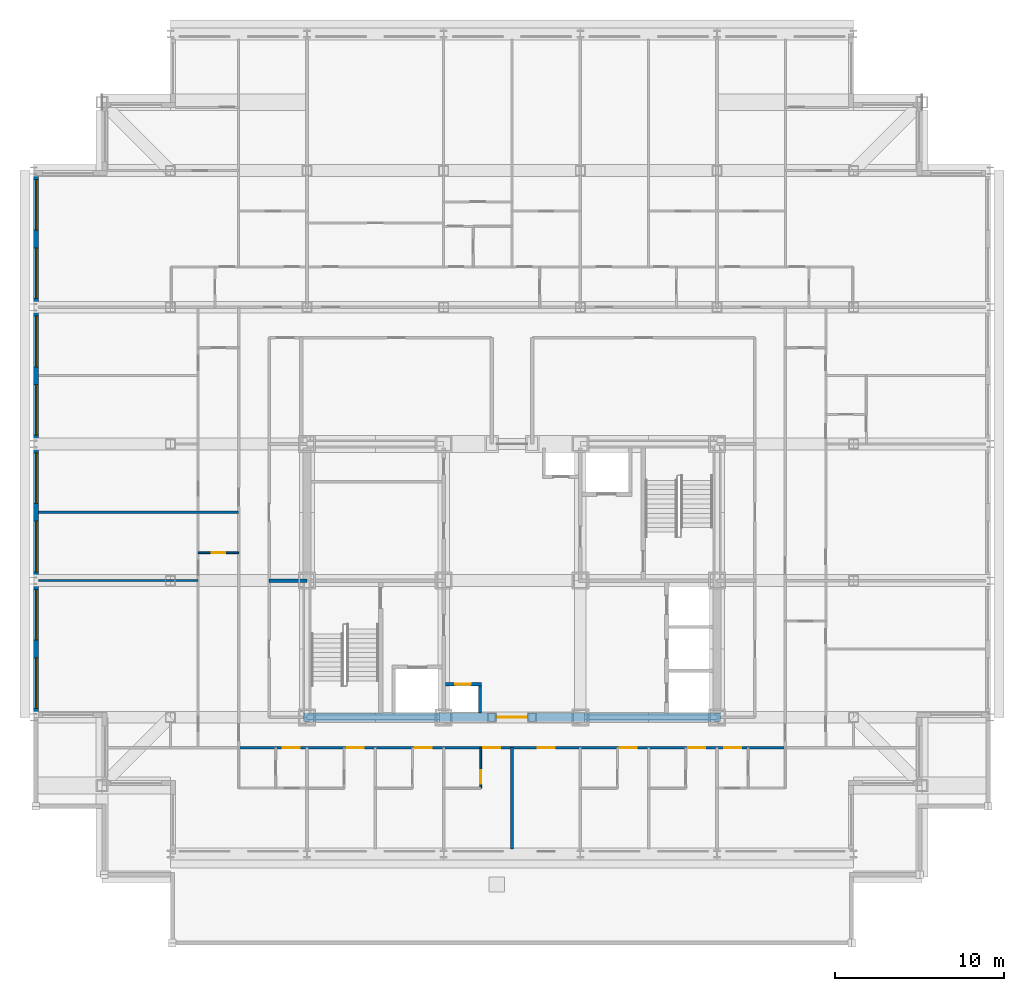
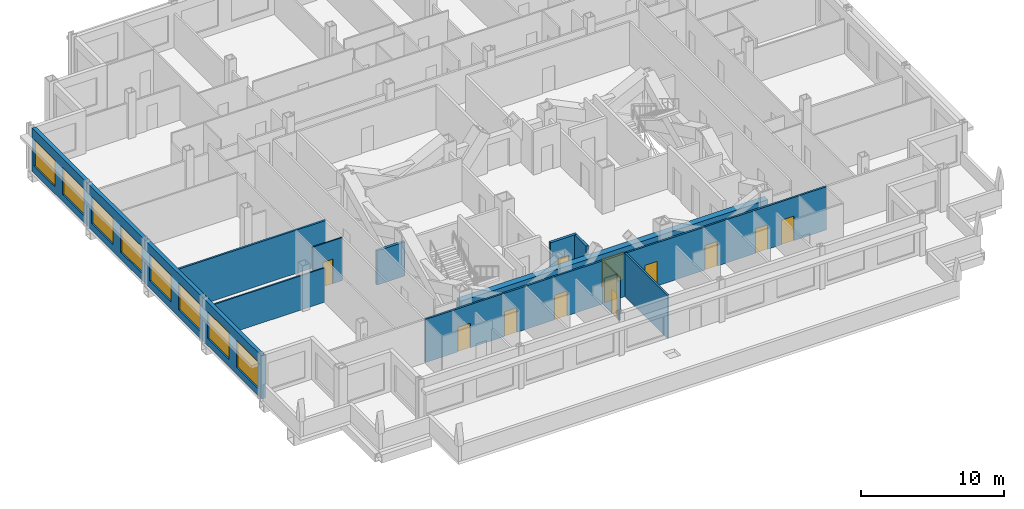
# One storey, part 8 of 15: 12 doors, 11 walls, 8 windows, 20 openings.
"""IFC4 building model written with IfcOpenShell, lengths in metres."""

from ifc_helpers import new_model, si_unit, direction, frame, frame_2d, origin, place, context, subcontext, project, spatial, rectangle, extrude, material, layer, layer_set, type_object, element, fill, save


model = new_model("IFC4")

# Units and contexts
model_context = context("Model", 3, precision=1e-05, world=origin(), true_north=direction((0.0, 1.0)))
body_context = subcontext(model_context, "Body", "Model", "MODEL_VIEW")
ifc_project = project(units=[si_unit("LENGTHUNIT", "METRE"), si_unit("AREAUNIT", "SQUARE_METRE"), si_unit("VOLUMEUNIT", "CUBIC_METRE"), si_unit("PLANEANGLEUNIT", "RADIAN"), si_unit("MASSUNIT", "GRAM", prefix="KILO")], contexts=[model_context])

# Site, building, storey
site_placement = place(None, origin())
site = spatial("IfcSite", under=ifc_project, at=site_placement, CompositionType="ELEMENT")
building_placement = place(site_placement, origin())
building = spatial("IfcBuilding", under=site, at=building_placement, Name="Kopane Lantern Tower", CompositionType="ELEMENT")
storey_placement = place(building_placement, frame((0.0, 0.0, 242.39990234375)))
storey = spatial("IfcBuildingStorey", under=building, at=storey_placement, Name="L62", CompositionType="ELEMENT", Elevation=242.39990234375)

# Wall
ifc_material_1 = material(Name="Gypsum board on steel studs", Category="steel")
ifc_layer_1 = layer(ifc_material_1, 0.1201171875)
ifc_layer_set_1 = layer_set([ifc_layer_1], Name="APARTMENT INTERNAL WALL 120")
wall_type_1 = type_object("IfcWallType", Name="APARTMENT INTERNAL WALL 120", PredefinedType="PARTITIONING", material=ifc_layer_set_1)
wall_1_placement = place(storey_placement, frame((9.75, 32.39990234375, 0.0), z_axis=(0.0, 0.0, 1.0), x_axis=(-1.0, 0.0, 0.0)))
element("IfcWall", 1, at=wall_1_placement, inside=storey, type_object=wall_type_1, Name="Apartment Internal Wall 120 L62", PredefinedType="PARTITIONING", context=body_context, shape_type="SweptSolid", body=[
    extrude(rectangle(XDim=9.449951171875, YDim=0.1201171875, at=frame_2d((4.72509765625, 0.0))), origin(), (0.0, 0.0, 1.0), 2.927978515625),
])

# Wall, opening, door
ifc_material_2 = material(Name="Moisture-resistant board on steel studs", Category="steel")
ifc_layer_2 = layer(ifc_material_2, 0.10009765625)
ifc_layer_set_2 = layer_set([ifc_layer_2], Name="BATHROOM WALL 100")
wall_type_2 = type_object("IfcWallType", Name="BATHROOM WALL 100", PredefinedType="PARTITIONING", material=ifc_layer_set_2)
wall_2_placement = place(storey_placement, frame((26.5, 22.5, 0.0), z_axis=(0.0, 0.0, 1.0), x_axis=(0.0, -1.0, 0.0)))
wall_2 = element("IfcWall", 2, at=wall_2_placement, inside=storey, type_object=wall_type_2, Name="Bathroom Wall 100 L62", PredefinedType="PARTITIONING", context=body_context, shape_type="SweptSolid", body=[
    extrude(rectangle(XDim=2.39990234375, YDim=0.10009765625, at=frame_2d((1.199951171875, 0.0))), origin(), (0.0, 0.0, 1.0), 3.690185546875),
])
opening_1_placement = place(wall_2_placement, frame((1.35009765625, 0.0, 0.0)))
opening_1 = element("IfcOpeningElement", 3, at=opening_1_placement, cuts=wall_2, Name="Opening L62-012", PredefinedType="OPENING", context=body_context, shape_type="SweptSolid", body=[
    extrude(rectangle(XDim=0.800048828125, YDim=2.10009765625, at=frame_2d((0.39990234375, 1.050048828125))), frame((0.0, 0.06005859375, 0.0), z_axis=(0.0, -1.0, 0.0), x_axis=(1.0, 0.0, 0.0)), (0.0, 0.0, 1.0), 0.1201171875),
])
ifc_material_3 = material(Name="Timber door set", Category="wood")
door_type_1 = type_object("IfcDoorType", Name="DOOR D2 800x2100", OperationType="SINGLE_SWING_LEFT", PredefinedType="DOOR", material=ifc_material_3)
door_1_placement = place(opening_1_placement, origin())
door_1 = element("IfcDoor", 4, at=door_1_placement, inside=storey, type_object=door_type_1, Name="Door L62-012", OperationType="SINGLE_SWING_LEFT", OverallHeight=2.10009765625, OverallWidth=0.800048828125, PredefinedType="DOOR", context=body_context, shape_type="SweptSolid", body=[
    extrude(rectangle(XDim=0.800048828125, YDim=2.10009765625, at=frame_2d((0.39990234375, 1.050048828125))), frame((0.0, 0.02490234375, 0.0), z_axis=(0.0, -1.0, 0.0), x_axis=(1.0, 0.0, 0.0)), (0.0, 0.0, 1.0), 0.050048828125),
])
fill(opening_1, door_1)

wall_3_placement = place(storey_placement, frame((12.14990234375, 34.050048828125, 0.0), z_axis=(0.0, 0.0, 1.0), x_axis=(-1.0, 0.0, 0.0)))
wall_3 = element("IfcWall", 5, at=wall_3_placement, inside=storey, type_object=wall_type_2, Name="Bathroom Wall 100 L62", PredefinedType="PARTITIONING", context=body_context, shape_type="SweptSolid", body=[
    extrude(rectangle(XDim=2.39990234375, YDim=0.10009765625, at=frame_2d((1.199951171875, 0.0))), origin(), (0.0, 0.0, 1.0), 3.690185546875),
])
opening_2_placement = place(wall_3_placement, frame((0.800048828125, 0.0, 0.0)))
opening_2 = element("IfcOpeningElement", 6, at=opening_2_placement, cuts=wall_3, Name="Opening L62-029", PredefinedType="OPENING", context=body_context, shape_type="SweptSolid", body=[
    extrude(rectangle(XDim=0.800048828125, YDim=2.10009765625, at=frame_2d((0.39990234375, 1.050048828125))), frame((0.0, 0.06005859375, 0.0), z_axis=(0.0, -1.0, 0.0), x_axis=(1.0, 0.0, 0.0)), (0.0, 0.0, 1.0), 0.1201171875),
])
door_2_placement = place(opening_2_placement, origin())
door_2 = element("IfcDoor", 7, at=door_2_placement, inside=storey, type_object=door_type_1, Name="Door L62-029", OperationType="SINGLE_SWING_RIGHT", OverallHeight=2.10009765625, OverallWidth=0.800048828125, PredefinedType="DOOR", context=body_context, shape_type="SweptSolid", body=[
    extrude(rectangle(XDim=0.800048828125, YDim=2.10009765625, at=frame_2d((0.39990234375, 1.050048828125))), frame((0.0, 0.02490234375, 0.0), z_axis=(0.0, -1.0, 0.0), x_axis=(1.0, 0.0, 0.0)), (0.0, 0.0, 1.0), 0.050048828125),
])
fill(opening_2, door_2)

ifc_material_4 = material(Name="Gypsum shaft wall EI 120", Category="gypsum")
ifc_layer_3 = layer(ifc_material_4, 0.5)
ifc_layer_set_3 = layer_set([ifc_layer_3], Name="CORE PERIMETER WALL 500 EI 120")
wall_type_3 = type_object("IfcWallType", Name="CORE PERIMETER WALL 500 EI 120", PredefinedType="SOLIDWALL", material=ifc_layer_set_3)
wall_4_placement = place(storey_placement, frame((15.949951171875, 24.300048828125, 0.0), z_axis=(0.0, 0.0, 1.0), x_axis=(1.0, 0.0, 0.0)))
wall_4 = element("IfcWall", 8, at=wall_4_placement, inside=storey, type_object=wall_type_3, Name="Core shaft wall L62 PS", PredefinedType="SOLIDWALL", context=body_context, shape_type="SweptSolid", body=[
    extrude(rectangle(XDim=24.800048828125, YDim=0.5, at=frame_2d((12.39990234375, 0.0))), origin(), (0.0, 0.0, 1.0), 2.927978515625),
])
opening_3_placement = place(wall_4_placement, frame((11.5, 0.0, 0.0)))
opening_3 = element("IfcOpeningElement", 9, at=opening_3_placement, cuts=wall_4, Name="Opening 62.CE-S", PredefinedType="OPENING", context=body_context, shape_type="SweptSolid", body=[
    extrude(rectangle(XDim=1.800048828125, YDim=2.39990234375, at=frame_2d((0.89990234375, 1.199951171875))), frame((0.0, 0.260009765625, 0.0), z_axis=(0.0, -1.0, 0.0), x_axis=(1.0, 0.0, 0.0)), (0.0, 0.0, 1.0), 0.52001953125),
])
ifc_material_5 = material(Name="Steel door set", Category="steel")
door_type_2 = type_object("IfcDoorType", Name="CORE ENTRY DOOR 1800x2400 FD60S", OperationType="DOUBLE_DOOR_SINGLE_SWING", PredefinedType="DOOR", material=ifc_material_5)
door_3_placement = place(opening_3_placement, origin())
door_3 = element("IfcDoor", 10, at=door_3_placement, inside=storey, type_object=door_type_2, Name="Core entry door L62 south", OperationType="DOUBLE_DOOR_SINGLE_SWING", OverallHeight=2.39990234375, OverallWidth=1.800048828125, PredefinedType="DOOR", context=body_context, shape_type="SweptSolid", body=[
    extrude(rectangle(XDim=1.800048828125, YDim=2.39990234375, at=frame_2d((0.89990234375, 1.199951171875))), frame((0.0, 0.02490234375, 0.0), z_axis=(0.0, -1.0, 0.0), x_axis=(1.0, 0.0, 0.0)), (0.0, 0.0, 1.0), 0.050048828125),
])
fill(opening_3, door_3)

# Wall, openings, doors
ifc_material_6 = material(Name="Gypsum board on steel studs", Category="steel")
ifc_layer_4 = layer(ifc_material_6, 0.14990234375)
ifc_layer_set_4 = layer_set([ifc_layer_4], Name="CORRIDOR WALL 150 EI 60")
wall_type_4 = type_object("IfcWallType", Name="CORRIDOR WALL 150 EI 60", PredefinedType="PARTITIONING", material=ifc_layer_set_4)
wall_5_placement = place(storey_placement, frame((12.14990234375, 22.5, 0.0), z_axis=(0.0, 0.0, 1.0), x_axis=(1.0, 0.0, 0.0)))
wall_5 = element("IfcWall", 11, at=wall_5_placement, inside=storey, type_object=wall_type_4, Name="Corridor Wall 150 Ei 60 L62", PredefinedType="PARTITIONING", context=body_context, shape_type="SweptSolid", body=[
    extrude(rectangle(XDim=32.400146484375, YDim=0.14990234375, at=frame_2d((16.2001953125, 0.0))), origin(), (0.0, 0.0, 1.0), 3.690185546875),
])
opening_4_placement = place(wall_5_placement, frame((6.39990234375, 0.0, 0.0)))
opening_4 = element("IfcOpeningElement", 12, at=opening_4_placement, cuts=wall_5, Name="Opening L62-009", PredefinedType="OPENING", context=body_context, shape_type="SweptSolid", body=[
    extrude(rectangle(XDim=1.0, YDim=2.10009765625, at=frame_2d((0.5, 1.050048828125))), frame((0.0, 0.0849609375, 0.0), z_axis=(0.0, -1.0, 0.0), x_axis=(1.0, 0.0, 0.0)), (0.0, 0.0, 1.0), 0.169921875),
])
opening_5_placement = place(wall_5_placement, frame((10.449951171875, 0.0, 0.0)))
opening_5 = element("IfcOpeningElement", 13, at=opening_5_placement, cuts=wall_5, Name="Opening L62-011", PredefinedType="OPENING", context=body_context, shape_type="SweptSolid", body=[
    extrude(rectangle(XDim=1.0, YDim=2.10009765625, at=frame_2d((0.5, 1.050048828125))), frame((0.0, 0.0849609375, 0.0), z_axis=(0.0, -1.0, 0.0), x_axis=(1.0, 0.0, 0.0)), (0.0, 0.0, 1.0), 0.169921875),
])
opening_6_placement = place(wall_5_placement, frame((14.5, 0.0, 0.0)))
opening_6 = element("IfcOpeningElement", 14, at=opening_6_placement, cuts=wall_5, Name="Opening L62-013", PredefinedType="OPENING", context=body_context, shape_type="SweptSolid", body=[
    extrude(rectangle(XDim=1.0, YDim=2.10009765625, at=frame_2d((0.5, 1.050048828125))), frame((0.0, 0.0849609375, 0.0), z_axis=(0.0, -1.0, 0.0), x_axis=(1.0, 0.0, 0.0)), (0.0, 0.0, 1.0), 0.169921875),
])
opening_7_placement = place(wall_5_placement, frame((17.72509765625, 0.0, 0.0)))
opening_7 = element("IfcOpeningElement", 15, at=opening_7_placement, cuts=wall_5, Name="Opening L62-014", PredefinedType="OPENING", context=body_context, shape_type="SweptSolid", body=[
    extrude(rectangle(XDim=1.0, YDim=2.10009765625, at=frame_2d((0.5, 1.050048828125))), frame((0.0, 0.0849609375, 0.0), z_axis=(0.0, -1.0, 0.0), x_axis=(1.0, 0.0, 0.0)), (0.0, 0.0, 1.0), 0.169921875),
])
opening_8_placement = place(wall_5_placement, frame((22.60009765625, 0.0, 0.0)))
opening_8 = element("IfcOpeningElement", 16, at=opening_8_placement, cuts=wall_5, Name="Opening L62-016", PredefinedType="OPENING", context=body_context, shape_type="SweptSolid", body=[
    extrude(rectangle(XDim=1.0, YDim=2.10009765625, at=frame_2d((0.5, 1.050048828125))), frame((0.0, 0.0849609375, 0.0), z_axis=(0.0, -1.0, 0.0), x_axis=(1.0, 0.0, 0.0)), (0.0, 0.0, 1.0), 0.169921875),
])
opening_9_placement = place(wall_5_placement, frame((26.64990234375, 0.0, 0.0)))
opening_9 = element("IfcOpeningElement", 17, at=opening_9_placement, cuts=wall_5, Name="Opening L62-018", PredefinedType="OPENING", context=body_context, shape_type="SweptSolid", body=[
    extrude(rectangle(XDim=1.0, YDim=2.10009765625, at=frame_2d((0.5, 1.050048828125))), frame((0.0, 0.0849609375, 0.0), z_axis=(0.0, -1.0, 0.0), x_axis=(1.0, 0.0, 0.0)), (0.0, 0.0, 1.0), 0.169921875),
])
opening_10_placement = place(wall_5_placement, frame((2.625, 0.0, 0.0)))
opening_10 = element("IfcOpeningElement", 18, at=opening_10_placement, cuts=wall_5, Name="Opening L62-048", PredefinedType="OPENING", context=body_context, shape_type="SweptSolid", body=[
    extrude(rectangle(XDim=1.0, YDim=2.10009765625, at=frame_2d((0.5, 1.050048828125))), frame((0.0, 0.0849609375, 0.0), z_axis=(0.0, -1.0, 0.0), x_axis=(1.0, 0.0, 0.0)), (0.0, 0.0, 1.0), 0.169921875),
])
opening_11_placement = place(wall_5_placement, frame((28.77490234375, 0.0, 0.0)))
opening_11 = element("IfcOpeningElement", 19, at=opening_11_placement, cuts=wall_5, Name="Opening L62-051", PredefinedType="OPENING", context=body_context, shape_type="SweptSolid", body=[
    extrude(rectangle(XDim=1.0, YDim=2.10009765625, at=frame_2d((0.5, 1.050048828125))), frame((0.0, 0.0849609375, 0.0), z_axis=(0.0, -1.0, 0.0), x_axis=(1.0, 0.0, 0.0)), (0.0, 0.0, 1.0), 0.169921875),
])
ifc_material_7 = material(Name="Steel door set", Category="steel")
door_type_3 = type_object("IfcDoorType", Name="DOOR D3 1000x2100 FD30S", OperationType="SINGLE_SWING_LEFT", PredefinedType="DOOR", material=ifc_material_7)
door_4_placement = place(opening_4_placement, origin())
door_4 = element("IfcDoor", 20, at=door_4_placement, inside=storey, type_object=door_type_3, Name="Door L62-009", OperationType="SINGLE_SWING_RIGHT", OverallHeight=2.10009765625, OverallWidth=1.0, PredefinedType="DOOR", context=body_context, shape_type="SweptSolid", body=[
    extrude(rectangle(XDim=1.0, YDim=2.10009765625, at=frame_2d((0.5, 1.050048828125))), frame((0.0, 0.02490234375, 0.0), z_axis=(0.0, -1.0, 0.0), x_axis=(1.0, 0.0, 0.0)), (0.0, 0.0, 1.0), 0.050048828125),
])
fill(opening_4, door_4)
door_5_placement = place(opening_5_placement, origin())
door_5 = element("IfcDoor", 21, at=door_5_placement, inside=storey, type_object=door_type_3, Name="Door L62-011", OperationType="SINGLE_SWING_RIGHT", OverallHeight=2.10009765625, OverallWidth=1.0, PredefinedType="DOOR", context=body_context, shape_type="SweptSolid", body=[
    extrude(rectangle(XDim=1.0, YDim=2.10009765625, at=frame_2d((0.5, 1.050048828125))), frame((0.0, 0.02490234375, 0.0), z_axis=(0.0, -1.0, 0.0), x_axis=(1.0, 0.0, 0.0)), (0.0, 0.0, 1.0), 0.050048828125),
])
fill(opening_5, door_5)
door_6_placement = place(opening_6_placement, origin())
door_6 = element("IfcDoor", 22, at=door_6_placement, inside=storey, type_object=door_type_3, Name="Door L62-013", OperationType="SINGLE_SWING_RIGHT", OverallHeight=2.10009765625, OverallWidth=1.0, PredefinedType="DOOR", context=body_context, shape_type="SweptSolid", body=[
    extrude(rectangle(XDim=1.0, YDim=2.10009765625, at=frame_2d((0.5, 1.050048828125))), frame((0.0, 0.02490234375, 0.0), z_axis=(0.0, -1.0, 0.0), x_axis=(1.0, 0.0, 0.0)), (0.0, 0.0, 1.0), 0.050048828125),
])
fill(opening_6, door_6)
door_7_placement = place(opening_8_placement, origin())
door_7 = element("IfcDoor", 23, at=door_7_placement, inside=storey, type_object=door_type_3, Name="Door L62-016", OperationType="SINGLE_SWING_RIGHT", OverallHeight=2.10009765625, OverallWidth=1.0, PredefinedType="DOOR", context=body_context, shape_type="SweptSolid", body=[
    extrude(rectangle(XDim=1.0, YDim=2.10009765625, at=frame_2d((0.5, 1.050048828125))), frame((0.0, 0.02490234375, 0.0), z_axis=(0.0, -1.0, 0.0), x_axis=(1.0, 0.0, 0.0)), (0.0, 0.0, 1.0), 0.050048828125),
])
fill(opening_8, door_7)
door_8_placement = place(opening_9_placement, origin())
door_8 = element("IfcDoor", 24, at=door_8_placement, inside=storey, type_object=door_type_3, Name="Door L62-018", OperationType="SINGLE_SWING_RIGHT", OverallHeight=2.10009765625, OverallWidth=1.0, PredefinedType="DOOR", context=body_context, shape_type="SweptSolid", body=[
    extrude(rectangle(XDim=1.0, YDim=2.10009765625, at=frame_2d((0.5, 1.050048828125))), frame((0.0, 0.02490234375, 0.0), z_axis=(0.0, -1.0, 0.0), x_axis=(1.0, 0.0, 0.0)), (0.0, 0.0, 1.0), 0.050048828125),
])
fill(opening_9, door_8)
door_9_placement = place(opening_10_placement, origin())
door_9 = element("IfcDoor", 25, at=door_9_placement, inside=storey, type_object=door_type_3, Name="Door L62-048", OperationType="SINGLE_SWING_RIGHT", OverallHeight=2.10009765625, OverallWidth=1.0, PredefinedType="DOOR", context=body_context, shape_type="SweptSolid", body=[
    extrude(rectangle(XDim=1.0, YDim=2.10009765625, at=frame_2d((0.5, 1.050048828125))), frame((0.0, 0.02490234375, 0.0), z_axis=(0.0, -1.0, 0.0), x_axis=(1.0, 0.0, 0.0)), (0.0, 0.0, 1.0), 0.050048828125),
])
fill(opening_10, door_9)
door_10_placement = place(opening_11_placement, origin())
door_10 = element("IfcDoor", 26, at=door_10_placement, inside=storey, type_object=door_type_3, Name="Door L62-051", OperationType="SINGLE_SWING_LEFT", OverallHeight=2.10009765625, OverallWidth=1.0, PredefinedType="DOOR", context=body_context, shape_type="SweptSolid", body=[
    extrude(rectangle(XDim=1.0, YDim=2.10009765625, at=frame_2d((0.5, 1.050048828125))), frame((0.0, 0.02490234375, 0.0), z_axis=(0.0, -1.0, 0.0), x_axis=(1.0, 0.0, 0.0)), (0.0, 0.0, 1.0), 0.050048828125),
])
fill(opening_11, door_10)
ifc_material_8 = material(Name="Steel door set", Category="steel")
door_type_4 = type_object("IfcDoorType", Name="DOOR D5 1000x2100 FD60", OperationType="SINGLE_SWING_LEFT", PredefinedType="DOOR", material=ifc_material_8)
door_11_placement = place(opening_7_placement, origin())
door_11 = element("IfcDoor", 27, at=door_11_placement, inside=storey, type_object=door_type_4, Name="Door L62-014", OperationType="SINGLE_SWING_RIGHT", OverallHeight=2.10009765625, OverallWidth=1.0, PredefinedType="DOOR", context=body_context, shape_type="SweptSolid", body=[
    extrude(rectangle(XDim=1.0, YDim=2.10009765625, at=frame_2d((0.5, 1.050048828125))), frame((0.0, 0.02490234375, 0.0), z_axis=(0.0, -1.0, 0.0), x_axis=(1.0, 0.0, 0.0)), (0.0, 0.0, 1.0), 0.050048828125),
])
fill(opening_7, door_11)

# Walls
ifc_material_9 = material(Name="Gypsum board on steel studs", Category="steel")
ifc_layer_5 = layer(ifc_material_9, 0.14990234375)
ifc_layer_set_5 = layer_set([ifc_layer_5], Name="DEMISING WALL 150 EI 60")
wall_type_5 = type_object("IfcWallType", Name="DEMISING WALL 150 EI 60", PredefinedType="PARTITIONING", material=ifc_layer_set_5)
wall_6_placement = place(storey_placement, frame((28.35009765625, 22.5, 0.0), z_axis=(0.0, 0.0, 1.0), x_axis=(0.0, -1.0, 0.0)))
element("IfcWall", 28, at=wall_6_placement, inside=storey, type_object=wall_type_5, Name="Demising Wall 150 Ei 60 L62", PredefinedType="PARTITIONING", context=body_context, shape_type="SweptSolid", body=[
    extrude(rectangle(XDim=6.0, YDim=0.14990234375, at=frame_2d((3.0, 0.0))), origin(), (0.0, 0.0, 1.0), 3.690185546875),
])
wall_7_placement = place(storey_placement, frame((12.14990234375, 36.449951171875, 0.0), z_axis=(0.0, 0.0, 1.0), x_axis=(-1.0, 0.0, 0.0)))
element("IfcWall", 29, at=wall_7_placement, inside=storey, type_object=wall_type_5, Name="Demising Wall 150 Ei 60 L62", PredefinedType="PARTITIONING", context=body_context, shape_type="SweptSolid", body=[
    extrude(rectangle(XDim=11.849853515625, YDim=0.14990234375, at=frame_2d((5.9248046875, 0.0))), origin(), (0.0, 0.0, 1.0), 3.690185546875),
])

# Wall, openings, windows
ifc_material_10 = material(Name="Terracotta rainscreen on light steel framing", Category="masonry")
ifc_layer_6 = layer(ifc_material_10, 0.300048828125)
ifc_layer_set_6 = layer_set([ifc_layer_6], Name="EXTERNAL WALL EW1 300 TERRACOTTA")
wall_type_6 = type_object("IfcWallType", Name="EXTERNAL WALL EW1 300 TERRACOTTA", PredefinedType="SOLIDWALL", material=ifc_layer_set_6)
wall_8_placement = place(storey_placement, frame((0.14990234375, 56.39990234375, 0.0), z_axis=(0.0, 0.0, 1.0), x_axis=(0.0, -1.0, 0.0)))
wall_8 = element("IfcWall", 30, at=wall_8_placement, inside=storey, type_object=wall_type_6, Name="External wall W L62", PredefinedType="SOLIDWALL", context=body_context, shape_type="SweptSolid", body=[
    extrude(rectangle(XDim=32.099853515625, YDim=0.300048828125, at=frame_2d((16.0498046875, 0.0))), origin(), (0.0, 0.0, 1.0), 3.690185546875),
])
opening_12_placement = place(wall_8_placement, frame((0.22509765625, 0.0, 0.60009765625)))
opening_12 = element("IfcOpeningElement", 31, at=opening_12_placement, cuts=wall_8, Name="Opening WR300230", PredefinedType="OPENING", context=body_context, shape_type="SweptSolid", body=[
    extrude(rectangle(XDim=3.0, YDim=2.300048828125, at=frame_2d((1.5, 1.14990234375))), frame((0.0, 0.159912109375, 0.0), z_axis=(0.0, -1.0, 0.0), x_axis=(1.0, 0.0, 0.0)), (0.0, 0.0, 1.0), 0.320068359375),
])
opening_13_placement = place(wall_8_placement, frame((4.27490234375, 0.0, 0.60009765625)))
opening_13 = element("IfcOpeningElement", 32, at=opening_13_placement, cuts=wall_8, Name="Opening WR300230", PredefinedType="OPENING", context=body_context, shape_type="SweptSolid", body=[
    extrude(rectangle(XDim=3.0, YDim=2.300048828125, at=frame_2d((1.5, 1.14990234375))), frame((0.0, 0.159912109375, 0.0), z_axis=(0.0, -1.0, 0.0), x_axis=(1.0, 0.0, 0.0)), (0.0, 0.0, 1.0), 0.320068359375),
])
opening_14_placement = place(wall_8_placement, frame((8.324951171875, 0.0, 0.60009765625)))
opening_14 = element("IfcOpeningElement", 33, at=opening_14_placement, cuts=wall_8, Name="Opening WR300230", PredefinedType="OPENING", context=body_context, shape_type="SweptSolid", body=[
    extrude(rectangle(XDim=3.0, YDim=2.300048828125, at=frame_2d((1.5, 1.14990234375))), frame((0.0, 0.159912109375, 0.0), z_axis=(0.0, -1.0, 0.0), x_axis=(1.0, 0.0, 0.0)), (0.0, 0.0, 1.0), 0.320068359375),
])
opening_15_placement = place(wall_8_placement, frame((12.375, 0.0, 0.60009765625)))
opening_15 = element("IfcOpeningElement", 34, at=opening_15_placement, cuts=wall_8, Name="Opening WR300230", PredefinedType="OPENING", context=body_context, shape_type="SweptSolid", body=[
    extrude(rectangle(XDim=3.0, YDim=2.300048828125, at=frame_2d((1.5, 1.14990234375))), frame((0.0, 0.159912109375, 0.0), z_axis=(0.0, -1.0, 0.0), x_axis=(1.0, 0.0, 0.0)), (0.0, 0.0, 1.0), 0.320068359375),
])
opening_16_placement = place(wall_8_placement, frame((16.425048828125, 0.0, 0.60009765625)))
opening_16 = element("IfcOpeningElement", 35, at=opening_16_placement, cuts=wall_8, Name="Opening WR300230", PredefinedType="OPENING", context=body_context, shape_type="SweptSolid", body=[
    extrude(rectangle(XDim=3.0, YDim=2.300048828125, at=frame_2d((1.5, 1.14990234375))), frame((0.0, 0.159912109375, 0.0), z_axis=(0.0, -1.0, 0.0), x_axis=(1.0, 0.0, 0.0)), (0.0, 0.0, 1.0), 0.320068359375),
])
opening_17_placement = place(wall_8_placement, frame((20.47509765625, 0.0, 0.60009765625)))
opening_17 = element("IfcOpeningElement", 36, at=opening_17_placement, cuts=wall_8, Name="Opening WR300230", PredefinedType="OPENING", context=body_context, shape_type="SweptSolid", body=[
    extrude(rectangle(XDim=3.0, YDim=2.300048828125, at=frame_2d((1.5, 1.14990234375))), frame((0.0, 0.159912109375, 0.0), z_axis=(0.0, -1.0, 0.0), x_axis=(1.0, 0.0, 0.0)), (0.0, 0.0, 1.0), 0.320068359375),
])
opening_18_placement = place(wall_8_placement, frame((24.52490234375, 0.0, 0.60009765625)))
opening_18 = element("IfcOpeningElement", 37, at=opening_18_placement, cuts=wall_8, Name="Opening WR300230", PredefinedType="OPENING", context=body_context, shape_type="SweptSolid", body=[
    extrude(rectangle(XDim=3.0, YDim=2.300048828125, at=frame_2d((1.5, 1.14990234375))), frame((0.0, 0.159912109375, 0.0), z_axis=(0.0, -1.0, 0.0), x_axis=(1.0, 0.0, 0.0)), (0.0, 0.0, 1.0), 0.320068359375),
])
opening_19_placement = place(wall_8_placement, frame((28.574951171875, 0.0, 0.60009765625)))
opening_19 = element("IfcOpeningElement", 38, at=opening_19_placement, cuts=wall_8, Name="Opening WR300230", PredefinedType="OPENING", context=body_context, shape_type="SweptSolid", body=[
    extrude(rectangle(XDim=3.0, YDim=2.300048828125, at=frame_2d((1.5, 1.14990234375))), frame((0.0, 0.159912109375, 0.0), z_axis=(0.0, -1.0, 0.0), x_axis=(1.0, 0.0, 0.0)), (0.0, 0.0, 1.0), 0.320068359375),
])
ifc_material_11 = material(Name="Aluminium and clear glass", Category="aluminium")
window_type = type_object("IfcWindowType", Name="RIBBON WINDOW WR300230 3000x2300", PartitioningType="SINGLE_PANEL", PredefinedType="WINDOW", material=ifc_material_11)
window_1_placement = place(opening_12_placement, origin())
window_1 = element("IfcWindow", 39, at=window_1_placement, inside=storey, type_object=window_type, Name="Window W L62", OverallHeight=2.300048828125, OverallWidth=3.0, PartitioningType="SINGLE_PANEL", PredefinedType="WINDOW", context=body_context, shape_type="SweptSolid", body=[
    extrude(rectangle(XDim=3.0, YDim=2.300048828125, at=frame_2d((1.5, 1.14990234375))), frame((0.0, 0.030029296875, 0.0), z_axis=(0.0, -1.0, 0.0), x_axis=(1.0, 0.0, 0.0)), (0.0, 0.0, 1.0), 0.06005859375),
])
fill(opening_12, window_1)
window_2_placement = place(opening_13_placement, origin())
window_2 = element("IfcWindow", 40, at=window_2_placement, inside=storey, type_object=window_type, Name="Window W L62", OverallHeight=2.300048828125, OverallWidth=3.0, PartitioningType="SINGLE_PANEL", PredefinedType="WINDOW", context=body_context, shape_type="SweptSolid", body=[
    extrude(rectangle(XDim=3.0, YDim=2.300048828125, at=frame_2d((1.5, 1.14990234375))), frame((0.0, 0.030029296875, 0.0), z_axis=(0.0, -1.0, 0.0), x_axis=(1.0, 0.0, 0.0)), (0.0, 0.0, 1.0), 0.06005859375),
])
fill(opening_13, window_2)
window_3_placement = place(opening_14_placement, origin())
window_3 = element("IfcWindow", 41, at=window_3_placement, inside=storey, type_object=window_type, Name="Window W L62", OverallHeight=2.300048828125, OverallWidth=3.0, PartitioningType="SINGLE_PANEL", PredefinedType="WINDOW", context=body_context, shape_type="SweptSolid", body=[
    extrude(rectangle(XDim=3.0, YDim=2.300048828125, at=frame_2d((1.5, 1.14990234375))), frame((0.0, 0.030029296875, 0.0), z_axis=(0.0, -1.0, 0.0), x_axis=(1.0, 0.0, 0.0)), (0.0, 0.0, 1.0), 0.06005859375),
])
fill(opening_14, window_3)
window_4_placement = place(opening_15_placement, origin())
window_4 = element("IfcWindow", 42, at=window_4_placement, inside=storey, type_object=window_type, Name="Window W L62", OverallHeight=2.300048828125, OverallWidth=3.0, PartitioningType="SINGLE_PANEL", PredefinedType="WINDOW", context=body_context, shape_type="SweptSolid", body=[
    extrude(rectangle(XDim=3.0, YDim=2.300048828125, at=frame_2d((1.5, 1.14990234375))), frame((0.0, 0.030029296875, 0.0), z_axis=(0.0, -1.0, 0.0), x_axis=(1.0, 0.0, 0.0)), (0.0, 0.0, 1.0), 0.06005859375),
])
fill(opening_15, window_4)
window_5_placement = place(opening_16_placement, origin())
window_5 = element("IfcWindow", 43, at=window_5_placement, inside=storey, type_object=window_type, Name="Window W L62", OverallHeight=2.300048828125, OverallWidth=3.0, PartitioningType="SINGLE_PANEL", PredefinedType="WINDOW", context=body_context, shape_type="SweptSolid", body=[
    extrude(rectangle(XDim=3.0, YDim=2.300048828125, at=frame_2d((1.5, 1.14990234375))), frame((0.0, 0.030029296875, 0.0), z_axis=(0.0, -1.0, 0.0), x_axis=(1.0, 0.0, 0.0)), (0.0, 0.0, 1.0), 0.06005859375),
])
fill(opening_16, window_5)
window_6_placement = place(opening_17_placement, origin())
window_6 = element("IfcWindow", 44, at=window_6_placement, inside=storey, type_object=window_type, Name="Window W L62", OverallHeight=2.300048828125, OverallWidth=3.0, PartitioningType="SINGLE_PANEL", PredefinedType="WINDOW", context=body_context, shape_type="SweptSolid", body=[
    extrude(rectangle(XDim=3.0, YDim=2.300048828125, at=frame_2d((1.5, 1.14990234375))), frame((0.0, 0.030029296875, 0.0), z_axis=(0.0, -1.0, 0.0), x_axis=(1.0, 0.0, 0.0)), (0.0, 0.0, 1.0), 0.06005859375),
])
fill(opening_17, window_6)
window_7_placement = place(opening_18_placement, origin())
window_7 = element("IfcWindow", 45, at=window_7_placement, inside=storey, type_object=window_type, Name="Window W L62", OverallHeight=2.300048828125, OverallWidth=3.0, PartitioningType="SINGLE_PANEL", PredefinedType="WINDOW", context=body_context, shape_type="SweptSolid", body=[
    extrude(rectangle(XDim=3.0, YDim=2.300048828125, at=frame_2d((1.5, 1.14990234375))), frame((0.0, 0.030029296875, 0.0), z_axis=(0.0, -1.0, 0.0), x_axis=(1.0, 0.0, 0.0)), (0.0, 0.0, 1.0), 0.06005859375),
])
fill(opening_18, window_7)
window_8_placement = place(opening_19_placement, origin())
window_8 = element("IfcWindow", 46, at=window_8_placement, inside=storey, type_object=window_type, Name="Window W L62", OverallHeight=2.300048828125, OverallWidth=3.0, PartitioningType="SINGLE_PANEL", PredefinedType="WINDOW", context=body_context, shape_type="SweptSolid", body=[
    extrude(rectangle(XDim=3.0, YDim=2.300048828125, at=frame_2d((1.5, 1.14990234375))), frame((0.0, 0.030029296875, 0.0), z_axis=(0.0, -1.0, 0.0), x_axis=(1.0, 0.0, 0.0)), (0.0, 0.0, 1.0), 0.06005859375),
])
fill(opening_19, window_8)

# Walls
ifc_material_12 = material(Name="Concrete masonry", Category="masonry")
ifc_layer_7 = layer(ifc_material_12, 0.199951171875)
ifc_layer_set_7 = layer_set([ifc_layer_7], Name="PLANT ROOM WALL 200 EI 120")
wall_type_7 = type_object("IfcWallType", Name="PLANT ROOM WALL 200 EI 120", PredefinedType="SOLIDWALL", material=ifc_layer_set_7)
wall_9_placement = place(storey_placement, frame((13.949951171875, 32.39990234375, 0.0), z_axis=(0.0, 0.0, 1.0), x_axis=(1.0, 0.0, 0.0)))
element("IfcWall", 47, at=wall_9_placement, inside=storey, type_object=wall_type_7, Name="Plant Room Wall 200 Ei 120 L62", PredefinedType="SOLIDWALL", context=body_context, shape_type="SweptSolid", body=[
    extrude(rectangle(XDim=2.25, YDim=0.199951171875, at=frame_2d((1.125, 0.0))), origin(), (0.0, 0.0, 1.0), 2.927978515625),
])
ifc_material_13 = material(Name="Gypsum shaft wall EI 120", Category="gypsum")
ifc_layer_8 = layer(ifc_material_13, 0.199951171875)
ifc_layer_set_8 = layer_set([ifc_layer_8], Name="SHAFT WALL 200 EI 120")
wall_type_8 = type_object("IfcWallType", Name="SHAFT WALL 200 EI 120", PredefinedType="SOLIDWALL", material=ifc_layer_set_8)
wall_10_placement = place(storey_placement, frame((26.449951171875, 24.550048828125, 0.0), z_axis=(0.0, 0.0, 1.0), x_axis=(0.0, 1.0, 0.0)))
element("IfcWall", 48, at=wall_10_placement, inside=storey, type_object=wall_type_8, Name="Core shaft wall L62 XRS1", PredefinedType="SOLIDWALL", context=body_context, shape_type="SweptSolid", body=[
    extrude(rectangle(XDim=1.599853515625, YDim=0.199951171875, at=frame_2d((0.7998046875, 0.0))), origin(), (0.0, 0.0, 1.0), 3.690185546875),
])

# Wall, opening, door
wall_11_placement = place(storey_placement, frame((24.39990234375, 26.25, 0.0), z_axis=(0.0, 0.0, 1.0), x_axis=(1.0, 0.0, 0.0)))
wall_11 = element("IfcWall", 49, at=wall_11_placement, inside=storey, type_object=wall_type_8, Name="Core shaft wall L62 YRS1", PredefinedType="SOLIDWALL", context=body_context, shape_type="SweptSolid", body=[
    extrude(rectangle(XDim=2.150146484375, YDim=0.199951171875, at=frame_2d((1.0751953125, 0.0))), origin(), (0.0, 0.0, 1.0), 3.690185546875),
])
opening_20_placement = place(wall_11_placement, frame((0.60009765625, 0.0, 0.0)))
opening_20 = element("IfcOpeningElement", 50, at=opening_20_placement, cuts=wall_11, Name="Opening 62.RS1", PredefinedType="OPENING", context=body_context, shape_type="SweptSolid", body=[
    extrude(rectangle(XDim=0.89990234375, YDim=2.10009765625, at=frame_2d((0.449951171875, 1.050048828125))), frame((0.0, 0.10986328125, 0.0), z_axis=(0.0, -1.0, 0.0), x_axis=(1.0, 0.0, 0.0)), (0.0, 0.0, 1.0), 0.219970703125),
])
ifc_material_14 = material(Name="Steel door set", Category="steel")
door_type_5 = type_object("IfcDoorType", Name="RISER ACCESS DOOR 900x2100 FD60", OperationType="SINGLE_SWING_LEFT", PredefinedType="DOOR", material=ifc_material_14)
door_12_placement = place(opening_20_placement, origin())
door_12 = element("IfcDoor", 51, at=door_12_placement, inside=storey, type_object=door_type_5, Name="Riser access door RS1 L62", OperationType="SINGLE_SWING_LEFT", OverallHeight=2.10009765625, OverallWidth=0.89990234375, PredefinedType="DOOR", context=body_context, shape_type="SweptSolid", body=[
    extrude(rectangle(XDim=0.89990234375, YDim=2.10009765625, at=frame_2d((0.449951171875, 1.050048828125))), frame((0.0, 0.02490234375, 0.0), z_axis=(0.0, -1.0, 0.0), x_axis=(1.0, 0.0, 0.0)), (0.0, 0.0, 1.0), 0.050048828125),
])
fill(opening_20, door_12)

save(model, "model.ifc")
